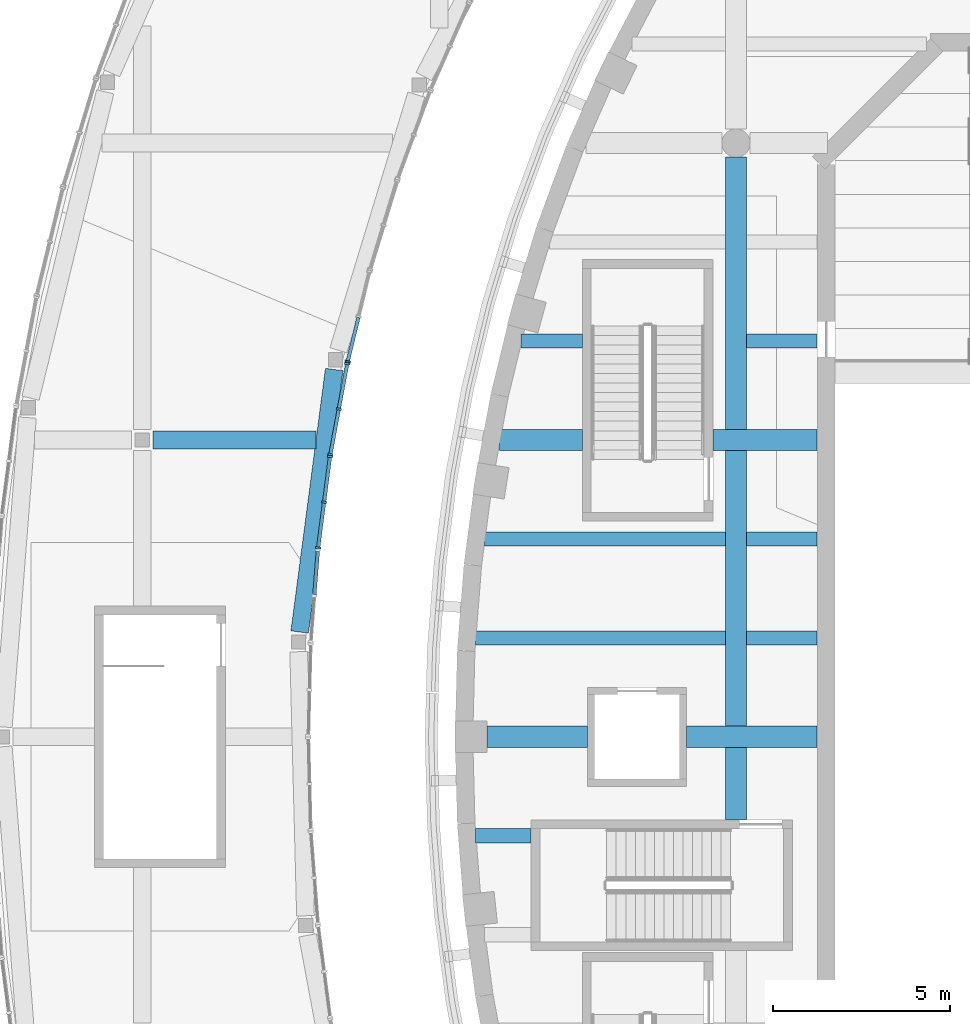
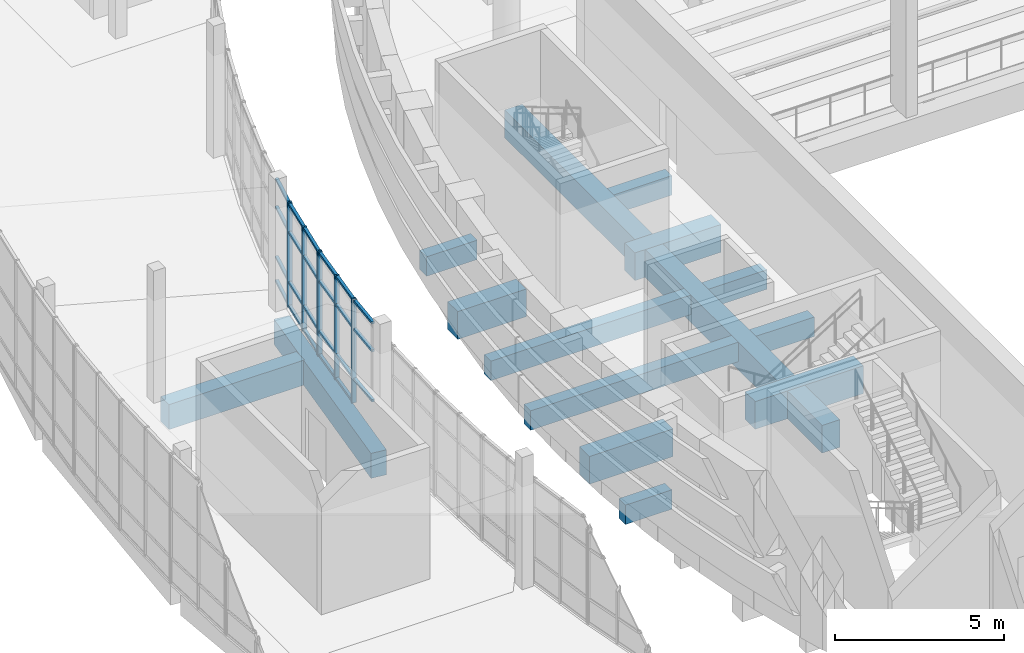
# One storey, part 14 of 103: 30 members, 14 beams, 4 elements without a shape of their own.
"""IFC4 building model written with IfcOpenShell, lengths in metres."""

from ifc_helpers import new_model, si_unit, direction, frame, origin, origin_2d, place, context, subcontext, project, spatial, rectangle, extrude, material, layer, layer_set, material_profile, profile_set, type_object, element, aggregate, save


model = new_model("IFC4")

# Units and contexts
model_context = context("Model", 3, precision=1e-05, world=origin(), true_north=direction((0.0, 1.0)))
body_context = subcontext(model_context, "Body", "Model", "MODEL_VIEW")
ifc_project = project(units=[si_unit("LENGTHUNIT", "METRE"), si_unit("AREAUNIT", "SQUARE_METRE"), si_unit("VOLUMEUNIT", "CUBIC_METRE"), si_unit("PLANEANGLEUNIT", "RADIAN"), si_unit("MASSUNIT", "GRAM", prefix="KILO")], contexts=[model_context])

# Site, building, storey
site_placement = place(None, origin())
site = spatial("IfcSite", under=ifc_project, at=site_placement, CompositionType="ELEMENT")
building_placement = place(site_placement, origin())
building = spatial("IfcBuilding", under=site, at=building_placement, Name="Larchfold Concert Hall", CompositionType="ELEMENT")
storey_placement = place(building_placement, frame((0.0, 0.0, 9.60009765625)))
storey = spatial("IfcBuildingStorey", under=building, at=storey_placement, Name="L02", CompositionType="ELEMENT", Elevation=9.60009765625)

# Curtain wall, members
ifc_material_1 = material(Name="Anodised graphite aluminium curtain wall", Category="aluminium")
ifc_layer = layer(ifc_material_1, 0.14990234375)
ifc_layer_set = layer_set([ifc_layer], Name="Anodised graphite aluminium curtain wall")
curtain_wall_type = type_object("IfcCurtainWallType", Name="Curtain wall WG", PredefinedType="NOTDEFINED", material=ifc_layer_set)
curtain_wall_1_placement = place(storey_placement, origin())
curtain_wall_1 = element("IfcCurtainWall", 1, at=curtain_wall_1_placement, inside=storey, type_object=curtain_wall_type, Name="Curtain wall CW0226", PredefinedType="NOTDEFINED")
ifc_material_2 = material(Name="Anodised graphite aluminium mullion", Category="aluminium")
ifc_material_profile_1 = material_profile(ifc_material_2, rectangle(XDim=0.14990234375, YDim=0.06005859375, at=origin_2d()))
ifc_profile_set_1 = profile_set([ifc_material_profile_1], Name="Anodised graphite aluminium mullion")
member_type_1 = type_object("IfcMemberType", Name="Aluminium mullion 60x150", PredefinedType="MULLION", material=ifc_profile_set_1)
member_1_placement = place(storey_placement, frame((13.977783203125, 89.94580078125, 0.0), z_axis=(0.0, 0.0, 1.0), x_axis=(-0.991560542069, 0.129644480836, 0.0)))
member_1 = element("IfcMember", 2, at=member_1_placement, type_object=member_type_1, Name="CW0226 mullion 1", PredefinedType="MULLION", context=body_context, shape_type="SweptSolid", body=[
    extrude(rectangle(XDim=0.14990234375, YDim=0.06005859375, at=origin_2d()), origin(), (0.0, 0.0, 1.0), 3.75),
])
member_2_placement = place(storey_placement, frame((14.146728515625, 91.238037109375, 0.0), z_axis=(0.0, 0.0, 1.0), x_axis=(-0.991560542069, 0.129644480836, 0.0)))
member_2 = element("IfcMember", 3, at=member_2_placement, type_object=member_type_1, Name="CW0226 mullion 2", PredefinedType="MULLION", context=body_context, shape_type="SweptSolid", body=[
    extrude(rectangle(XDim=0.14990234375, YDim=0.06005859375, at=origin_2d()), origin(), (0.0, 0.0, 1.0), 3.75),
])
member_3_placement = place(storey_placement, frame((14.315673828125, 92.5302734375, 0.0), z_axis=(0.0, 0.0, 1.0), x_axis=(-0.991560542069, 0.129644480836, 0.0)))
member_3 = element("IfcMember", 4, at=member_3_placement, type_object=member_type_1, Name="CW0226 mullion 3", PredefinedType="MULLION", context=body_context, shape_type="SweptSolid", body=[
    extrude(rectangle(XDim=0.14990234375, YDim=0.06005859375, at=origin_2d()), origin(), (0.0, 0.0, 1.0), 3.75),
])

curtain_wall_2_placement = place(storey_placement, origin())
curtain_wall_2 = element("IfcCurtainWall", 5, at=curtain_wall_2_placement, inside=storey, type_object=curtain_wall_type, Name="Curtain wall CW0227", PredefinedType="NOTDEFINED")
member_4_placement = place(storey_placement, frame((14.324951171875, 92.589599609375, 0.0), z_axis=(0.0, 0.0, 1.0), x_axis=(-0.983226211079, 0.182390289896, 0.0)))
member_4 = element("IfcMember", 6, at=member_4_placement, type_object=member_type_1, Name="CW0227 mullion 1", PredefinedType="MULLION", context=body_context, shape_type="SweptSolid", body=[
    extrude(rectangle(XDim=0.14990234375, YDim=0.06005859375, at=origin_2d()), origin(), (0.0, 0.0, 1.0), 3.75),
])
member_5_placement = place(storey_placement, frame((14.563232421875, 93.87353515625, 0.0), z_axis=(0.0, 0.0, 1.0), x_axis=(-0.983226211079, 0.182390289896, 0.0)))
member_5 = element("IfcMember", 7, at=member_5_placement, type_object=member_type_1, Name="CW0227 mullion 2", PredefinedType="MULLION", context=body_context, shape_type="SweptSolid", body=[
    extrude(rectangle(XDim=0.14990234375, YDim=0.06005859375, at=origin_2d()), origin(), (0.0, 0.0, 1.0), 3.75),
])
member_6_placement = place(storey_placement, frame((14.801513671875, 95.157470703125, 0.0), z_axis=(0.0, 0.0, 1.0), x_axis=(-0.983226211079, 0.182390289896, 0.0)))
member_6 = element("IfcMember", 8, at=member_6_placement, type_object=member_type_1, Name="CW0227 mullion 3", PredefinedType="MULLION", context=body_context, shape_type="SweptSolid", body=[
    extrude(rectangle(XDim=0.14990234375, YDim=0.06005859375, at=origin_2d()), origin(), (0.0, 0.0, 1.0), 3.75),
])

# Curtain wall, member
curtain_wall_3_placement = place(storey_placement, origin())
curtain_wall_3 = element("IfcCurtainWall", 9, at=curtain_wall_3_placement, inside=storey, type_object=curtain_wall_type, Name="Curtain wall CW0228", PredefinedType="NOTDEFINED")
member_7_placement = place(storey_placement, frame((14.81396484375, 95.216064453125, 0.0), z_axis=(0.0, 0.0, 1.0), x_axis=(-0.97177101692, 0.235926027973, 0.0)))
member_7 = element("IfcMember", 10, at=member_7_placement, type_object=member_type_1, Name="CW0228 mullion 1", PredefinedType="MULLION", context=body_context, shape_type="SweptSolid", body=[
    extrude(rectangle(XDim=0.14990234375, YDim=0.06005859375, at=origin_2d()), origin(), (0.0, 0.0, 1.0), 3.75),
])

# Curtain wall, members
curtain_wall_4_placement = place(storey_placement, origin())
curtain_wall_4 = element("IfcCurtainWall", 11, at=curtain_wall_4_placement, inside=storey, type_object=curtain_wall_type, Name="Curtain wall CW0225", PredefinedType="NOTDEFINED")
ifc_material_3 = material(Name="Anodised graphite aluminium transom", Category="aluminium")
ifc_material_profile_2 = material_profile(ifc_material_3, rectangle(XDim=0.10009765625, YDim=0.080078125, at=origin_2d()))
ifc_profile_set_2 = profile_set([ifc_material_profile_2], Name="Anodised graphite aluminium transom")
member_type_2 = type_object("IfcMemberType", Name="Aluminium transom 80x100", PredefinedType="USERDEFINED", material=ifc_profile_set_2)
member_8_placement = place(storey_placement, frame((13.873046875, 88.618408203125, 0.89990234375), z_axis=(0.077478431398, 0.996994028401, 0.0), x_axis=(-0.996994028401, 0.077478431398, 0.0)))
member_8 = element("IfcMember", 12, at=member_8_placement, type_object=member_type_2, Name="CW0225 transom 2.2", ObjectType="TRANSOM", PredefinedType="USERDEFINED", context=body_context, shape_type="SweptSolid", body=[
    extrude(rectangle(XDim=0.10009765625, YDim=0.080078125, at=origin_2d()), origin(), (0.0, 0.0, 1.0), 1.241455078125),
])
member_9_placement = place(storey_placement, frame((13.873046875, 88.618408203125, 2.699951171875), z_axis=(0.077478431398, 0.996994028401, 0.0), x_axis=(-0.996994028401, 0.077478431398, 0.0)))
member_9 = element("IfcMember", 13, at=member_9_placement, type_object=member_type_2, Name="CW0225 transom 2.3", ObjectType="TRANSOM", PredefinedType="USERDEFINED", context=body_context, shape_type="SweptSolid", body=[
    extrude(rectangle(XDim=0.10009765625, YDim=0.080078125, at=origin_2d()), origin(), (0.0, 0.0, 1.0), 1.241455078125),
])
member_10_placement = place(storey_placement, frame((13.873046875, 88.618408203125, 3.7099609375), z_axis=(0.077478431398, 0.996994028401, 0.0), x_axis=(-0.996994028401, 0.077478431398, 0.0)))
member_10 = element("IfcMember", 14, at=member_10_placement, type_object=member_type_2, Name="CW0225 transom 2.4", ObjectType="TRANSOM", PredefinedType="USERDEFINED", context=body_context, shape_type="SweptSolid", body=[
    extrude(rectangle(XDim=0.10009765625, YDim=0.080078125, at=origin_2d()), origin(), (0.0, 0.0, 1.0), 1.241455078125),
])
aggregate(curtain_wall_4, [member_8, member_9, member_10])

# Member
member_11_placement = place(storey_placement, frame((13.981689453125, 89.9755859375, 0.0400390625), z_axis=(0.129616239755, 0.991564234123, 0.0), x_axis=(-0.991564234123, 0.129616239755, 0.0)))
member_11 = element("IfcMember", 15, at=member_11_placement, type_object=member_type_2, Name="CW0226 transom 1.1", ObjectType="TRANSOM", PredefinedType="USERDEFINED", context=body_context, shape_type="SweptSolid", body=[
    extrude(rectangle(XDim=0.10009765625, YDim=0.080078125, at=origin_2d()), origin(), (0.0, 0.0, 1.0), 1.2431640625),
])

member_12_placement = place(storey_placement, frame((13.981689453125, 89.9755859375, 0.89990234375), z_axis=(0.129616239755, 0.991564234123, 0.0), x_axis=(-0.991564234123, 0.129616239755, 0.0)))
member_12 = element("IfcMember", 16, at=member_12_placement, type_object=member_type_2, Name="CW0226 transom 1.2", ObjectType="TRANSOM", PredefinedType="USERDEFINED", context=body_context, shape_type="SweptSolid", body=[
    extrude(rectangle(XDim=0.10009765625, YDim=0.080078125, at=origin_2d()), origin(), (0.0, 0.0, 1.0), 1.2431640625),
])

member_13_placement = place(storey_placement, frame((13.981689453125, 89.9755859375, 2.699951171875), z_axis=(0.129616239755, 0.991564234123, 0.0), x_axis=(-0.991564234123, 0.129616239755, 0.0)))
member_13 = element("IfcMember", 17, at=member_13_placement, type_object=member_type_2, Name="CW0226 transom 1.3", ObjectType="TRANSOM", PredefinedType="USERDEFINED", context=body_context, shape_type="SweptSolid", body=[
    extrude(rectangle(XDim=0.10009765625, YDim=0.080078125, at=origin_2d()), origin(), (0.0, 0.0, 1.0), 1.2431640625),
])

member_14_placement = place(storey_placement, frame((13.981689453125, 89.9755859375, 3.7099609375), z_axis=(0.129616239755, 0.991564234123, 0.0), x_axis=(-0.991564234123, 0.129616239755, 0.0)))
member_14 = element("IfcMember", 18, at=member_14_placement, type_object=member_type_2, Name="CW0226 transom 1.4", ObjectType="TRANSOM", PredefinedType="USERDEFINED", context=body_context, shape_type="SweptSolid", body=[
    extrude(rectangle(XDim=0.10009765625, YDim=0.080078125, at=origin_2d()), origin(), (0.0, 0.0, 1.0), 1.2431640625),
])

member_15_placement = place(storey_placement, frame((14.150634765625, 91.267822265625, 0.0400390625), z_axis=(0.129616239755, 0.991564234123, 0.0), x_axis=(-0.991564234123, 0.129616239755, 0.0)))
member_15 = element("IfcMember", 19, at=member_15_placement, type_object=member_type_2, Name="CW0226 transom 2.1", ObjectType="TRANSOM", PredefinedType="USERDEFINED", context=body_context, shape_type="SweptSolid", body=[
    extrude(rectangle(XDim=0.10009765625, YDim=0.080078125, at=origin_2d()), origin(), (0.0, 0.0, 1.0), 1.2431640625),
])

member_16_placement = place(storey_placement, frame((14.150634765625, 91.267822265625, 0.89990234375), z_axis=(0.129616239755, 0.991564234123, 0.0), x_axis=(-0.991564234123, 0.129616239755, 0.0)))
member_16 = element("IfcMember", 20, at=member_16_placement, type_object=member_type_2, Name="CW0226 transom 2.2", ObjectType="TRANSOM", PredefinedType="USERDEFINED", context=body_context, shape_type="SweptSolid", body=[
    extrude(rectangle(XDim=0.10009765625, YDim=0.080078125, at=origin_2d()), origin(), (0.0, 0.0, 1.0), 1.2431640625),
])

member_17_placement = place(storey_placement, frame((14.150634765625, 91.267822265625, 2.699951171875), z_axis=(0.129616239755, 0.991564234123, 0.0), x_axis=(-0.991564234123, 0.129616239755, 0.0)))
member_17 = element("IfcMember", 21, at=member_17_placement, type_object=member_type_2, Name="CW0226 transom 2.3", ObjectType="TRANSOM", PredefinedType="USERDEFINED", context=body_context, shape_type="SweptSolid", body=[
    extrude(rectangle(XDim=0.10009765625, YDim=0.080078125, at=origin_2d()), origin(), (0.0, 0.0, 1.0), 1.2431640625),
])

member_18_placement = place(storey_placement, frame((14.150634765625, 91.267822265625, 3.7099609375), z_axis=(0.129616239755, 0.991564234123, 0.0), x_axis=(-0.991564234123, 0.129616239755, 0.0)))
member_18 = element("IfcMember", 22, at=member_18_placement, type_object=member_type_2, Name="CW0226 transom 2.4", ObjectType="TRANSOM", PredefinedType="USERDEFINED", context=body_context, shape_type="SweptSolid", body=[
    extrude(rectangle(XDim=0.10009765625, YDim=0.080078125, at=origin_2d()), origin(), (0.0, 0.0, 1.0), 1.2431640625),
])

aggregate(curtain_wall_1, [member_1, member_2, member_3, member_11, member_12, member_13, member_14, member_15, member_16, member_17, member_18])

member_19_placement = place(storey_placement, frame((14.33056640625, 92.619140625, 0.0400390625), z_axis=(0.182454169497, 0.983214359147, 0.0), x_axis=(-0.983214359147, 0.182454169497, 0.0)))
member_19 = element("IfcMember", 23, at=member_19_placement, type_object=member_type_2, Name="CW0227 transom 1.1", ObjectType="TRANSOM", PredefinedType="USERDEFINED", context=body_context, shape_type="SweptSolid", body=[
    extrude(rectangle(XDim=0.10009765625, YDim=0.080078125, at=origin_2d()), origin(), (0.0, 0.0, 1.0), 1.245849609375),
])

member_20_placement = place(storey_placement, frame((14.33056640625, 92.619140625, 0.89990234375), z_axis=(0.182454169497, 0.983214359147, 0.0), x_axis=(-0.983214359147, 0.182454169497, 0.0)))
member_20 = element("IfcMember", 24, at=member_20_placement, type_object=member_type_2, Name="CW0227 transom 1.2", ObjectType="TRANSOM", PredefinedType="USERDEFINED", context=body_context, shape_type="SweptSolid", body=[
    extrude(rectangle(XDim=0.10009765625, YDim=0.080078125, at=origin_2d()), origin(), (0.0, 0.0, 1.0), 1.245849609375),
])

member_21_placement = place(storey_placement, frame((14.33056640625, 92.619140625, 2.699951171875), z_axis=(0.182454169497, 0.983214359147, 0.0), x_axis=(-0.983214359147, 0.182454169497, 0.0)))
member_21 = element("IfcMember", 25, at=member_21_placement, type_object=member_type_2, Name="CW0227 transom 1.3", ObjectType="TRANSOM", PredefinedType="USERDEFINED", context=body_context, shape_type="SweptSolid", body=[
    extrude(rectangle(XDim=0.10009765625, YDim=0.080078125, at=origin_2d()), origin(), (0.0, 0.0, 1.0), 1.245849609375),
])

member_22_placement = place(storey_placement, frame((14.33056640625, 92.619140625, 3.7099609375), z_axis=(0.182454169497, 0.983214359147, 0.0), x_axis=(-0.983214359147, 0.182454169497, 0.0)))
member_22 = element("IfcMember", 26, at=member_22_placement, type_object=member_type_2, Name="CW0227 transom 1.4", ObjectType="TRANSOM", PredefinedType="USERDEFINED", context=body_context, shape_type="SweptSolid", body=[
    extrude(rectangle(XDim=0.10009765625, YDim=0.080078125, at=origin_2d()), origin(), (0.0, 0.0, 1.0), 1.245849609375),
])

member_23_placement = place(storey_placement, frame((14.568603515625, 93.903076171875, 0.0400390625), z_axis=(0.182454169497, 0.983214359147, 0.0), x_axis=(-0.983214359147, 0.182454169497, 0.0)))
member_23 = element("IfcMember", 27, at=member_23_placement, type_object=member_type_2, Name="CW0227 transom 2.1", ObjectType="TRANSOM", PredefinedType="USERDEFINED", context=body_context, shape_type="SweptSolid", body=[
    extrude(rectangle(XDim=0.10009765625, YDim=0.080078125, at=origin_2d()), origin(), (0.0, 0.0, 1.0), 1.245849609375),
])

member_24_placement = place(storey_placement, frame((14.568603515625, 93.903076171875, 0.89990234375), z_axis=(0.182454169497, 0.983214359147, 0.0), x_axis=(-0.983214359147, 0.182454169497, 0.0)))
member_24 = element("IfcMember", 28, at=member_24_placement, type_object=member_type_2, Name="CW0227 transom 2.2", ObjectType="TRANSOM", PredefinedType="USERDEFINED", context=body_context, shape_type="SweptSolid", body=[
    extrude(rectangle(XDim=0.10009765625, YDim=0.080078125, at=origin_2d()), origin(), (0.0, 0.0, 1.0), 1.245849609375),
])

member_25_placement = place(storey_placement, frame((14.568603515625, 93.903076171875, 2.699951171875), z_axis=(0.182454169497, 0.983214359147, 0.0), x_axis=(-0.983214359147, 0.182454169497, 0.0)))
member_25 = element("IfcMember", 29, at=member_25_placement, type_object=member_type_2, Name="CW0227 transom 2.3", ObjectType="TRANSOM", PredefinedType="USERDEFINED", context=body_context, shape_type="SweptSolid", body=[
    extrude(rectangle(XDim=0.10009765625, YDim=0.080078125, at=origin_2d()), origin(), (0.0, 0.0, 1.0), 1.245849609375),
])

member_26_placement = place(storey_placement, frame((14.568603515625, 93.903076171875, 3.7099609375), z_axis=(0.182454169497, 0.983214359147, 0.0), x_axis=(-0.983214359147, 0.182454169497, 0.0)))
member_26 = element("IfcMember", 30, at=member_26_placement, type_object=member_type_2, Name="CW0227 transom 2.4", ObjectType="TRANSOM", PredefinedType="USERDEFINED", context=body_context, shape_type="SweptSolid", body=[
    extrude(rectangle(XDim=0.10009765625, YDim=0.080078125, at=origin_2d()), origin(), (0.0, 0.0, 1.0), 1.245849609375),
])

aggregate(curtain_wall_2, [member_4, member_5, member_6, member_19, member_20, member_21, member_22, member_23, member_24, member_25, member_26])

member_27_placement = place(storey_placement, frame((14.821044921875, 95.245361328125, 0.0400390625), z_axis=(0.236002599112, 0.971752423826, 0.0), x_axis=(-0.971752423826, 0.236002599112, 0.0)))
member_27 = element("IfcMember", 31, at=member_27_placement, type_object=member_type_2, Name="CW0228 transom 1.1", ObjectType="TRANSOM", PredefinedType="USERDEFINED", context=body_context, shape_type="SweptSolid", body=[
    extrude(rectangle(XDim=0.10009765625, YDim=0.080078125, at=origin_2d()), origin(), (0.0, 0.0, 1.0), 1.249755859375),
])

member_28_placement = place(storey_placement, frame((14.821044921875, 95.245361328125, 0.89990234375), z_axis=(0.236002599112, 0.971752423826, 0.0), x_axis=(-0.971752423826, 0.236002599112, 0.0)))
member_28 = element("IfcMember", 32, at=member_28_placement, type_object=member_type_2, Name="CW0228 transom 1.2", ObjectType="TRANSOM", PredefinedType="USERDEFINED", context=body_context, shape_type="SweptSolid", body=[
    extrude(rectangle(XDim=0.10009765625, YDim=0.080078125, at=origin_2d()), origin(), (0.0, 0.0, 1.0), 1.249755859375),
])

member_29_placement = place(storey_placement, frame((14.821044921875, 95.245361328125, 2.699951171875), z_axis=(0.236002599112, 0.971752423826, 0.0), x_axis=(-0.971752423826, 0.236002599112, 0.0)))
member_29 = element("IfcMember", 33, at=member_29_placement, type_object=member_type_2, Name="CW0228 transom 1.3", ObjectType="TRANSOM", PredefinedType="USERDEFINED", context=body_context, shape_type="SweptSolid", body=[
    extrude(rectangle(XDim=0.10009765625, YDim=0.080078125, at=origin_2d()), origin(), (0.0, 0.0, 1.0), 1.249755859375),
])

member_30_placement = place(storey_placement, frame((14.821044921875, 95.245361328125, 3.7099609375), z_axis=(0.236002599112, 0.971752423826, 0.0), x_axis=(-0.971752423826, 0.236002599112, 0.0)))
member_30 = element("IfcMember", 34, at=member_30_placement, type_object=member_type_2, Name="CW0228 transom 1.4", ObjectType="TRANSOM", PredefinedType="USERDEFINED", context=body_context, shape_type="SweptSolid", body=[
    extrude(rectangle(XDim=0.10009765625, YDim=0.080078125, at=origin_2d()), origin(), (0.0, 0.0, 1.0), 1.249755859375),
])

aggregate(curtain_wall_3, [member_7, member_27, member_28, member_29, member_30])

# Beams
ifc_material_4 = material(Name="Concrete C35/45", Category="concrete")
ifc_material_profile_3 = material_profile(ifc_material_4, rectangle(XDim=0.39990234375, YDim=0.699951171875, at=origin_2d()))
ifc_profile_set_3 = profile_set([ifc_material_profile_3], Name="Concrete C35/45")
beam_type_1 = type_object("IfcBeamType", Name="Beam RC 400x700", PredefinedType="BEAM", material=ifc_profile_set_3)
beam_1_placement = place(storey_placement, frame((18.421875, 81.800048828125, -0.550048828125), z_axis=(1.0, 0.0, 0.0), x_axis=(0.0, 1.0, 0.0)))
element("IfcBeam", 35, at=beam_1_placement, inside=storey, type_object=beam_type_1, Name="Beam B1319", PredefinedType="BEAM", context=body_context, shape_type="SweptSolid", body=[
    extrude(rectangle(XDim=0.39990234375, YDim=0.699951171875, at=origin_2d()), origin(), (0.0, 0.0, 1.0), 1.578125),
])
beam_2_placement = place(storey_placement, frame((18.422119140625, 87.39990234375, -0.550048828125), z_axis=(1.0, 0.0, 0.0), x_axis=(0.0, 1.0, 0.0)))
element("IfcBeam", 36, at=beam_2_placement, inside=storey, type_object=beam_type_1, Name="Beam B1321", PredefinedType="BEAM", context=body_context, shape_type="SweptSolid", body=[
    extrude(rectangle(XDim=0.39990234375, YDim=0.699951171875, at=origin_2d()), origin(), (0.0, 0.0, 1.0), 7.077880859375),
])
beam_3_placement = place(storey_placement, frame((26.10009765625, 87.39990234375, -0.550048828125), z_axis=(1.0, 0.0, 0.0), x_axis=(0.0, 1.0, 0.0)))
element("IfcBeam", 37, at=beam_3_placement, inside=storey, type_object=beam_type_1, Name="Beam B1322", PredefinedType="BEAM", context=body_context, shape_type="SweptSolid", body=[
    extrude(rectangle(XDim=0.39990234375, YDim=0.699951171875, at=origin_2d()), origin(), (0.0, 0.0, 1.0), 1.989990234375),
])
beam_4_placement = place(storey_placement, frame((18.680419921875, 90.199951171875, -0.550048828125), z_axis=(1.0, 0.0, 0.0), x_axis=(0.0, 1.0, 0.0)))
element("IfcBeam", 38, at=beam_4_placement, inside=storey, type_object=beam_type_1, Name="Beam B1325", PredefinedType="BEAM", context=body_context, shape_type="SweptSolid", body=[
    extrude(rectangle(XDim=0.39990234375, YDim=0.699951171875, at=origin_2d()), origin(), (0.0, 0.0, 1.0), 6.819580078125),
])
beam_5_placement = place(storey_placement, frame((26.10009765625, 90.199951171875, -0.550048828125), z_axis=(1.0, 0.0, 0.0), x_axis=(0.0, 1.0, 0.0)))
element("IfcBeam", 39, at=beam_5_placement, inside=storey, type_object=beam_type_1, Name="Beam B1326", PredefinedType="BEAM", context=body_context, shape_type="SweptSolid", body=[
    extrude(rectangle(XDim=0.39990234375, YDim=0.699951171875, at=origin_2d()), origin(), (0.0, 0.0, 1.0), 1.989990234375),
])
beam_6_placement = place(storey_placement, frame((19.72021484375, 95.800048828125, -0.550048828125), z_axis=(1.0, 0.0, 0.0), x_axis=(0.0, 1.0, 0.0)))
element("IfcBeam", 40, at=beam_6_placement, inside=storey, type_object=beam_type_1, Name="Beam B1329", PredefinedType="BEAM", context=body_context, shape_type="SweptSolid", body=[
    extrude(rectangle(XDim=0.39990234375, YDim=0.699951171875, at=origin_2d()), origin(), (0.0, 0.0, 1.0), 1.729736328125),
])
beam_7_placement = place(storey_placement, frame((26.10009765625, 95.800048828125, -0.550048828125), z_axis=(1.0, 0.0, 0.0), x_axis=(0.0, 1.0, 0.0)))
element("IfcBeam", 41, at=beam_7_placement, inside=storey, type_object=beam_type_1, Name="Beam B1330", PredefinedType="BEAM", context=body_context, shape_type="SweptSolid", body=[
    extrude(rectangle(XDim=0.39990234375, YDim=0.699951171875, at=origin_2d()), origin(), (0.0, 0.0, 1.0), 1.989990234375),
])
ifc_material_5 = material(Name="Concrete C35/45", Category="concrete")
ifc_material_profile_4 = material_profile(ifc_material_5, rectangle(XDim=0.5, YDim=0.89990234375, at=origin_2d()))
ifc_profile_set_4 = profile_set([ifc_material_profile_4], Name="Concrete C35/45")
beam_type_2 = type_object("IfcBeamType", Name="Beam RC 500x900", PredefinedType="BEAM", material=ifc_profile_set_4)
beam_8_placement = place(storey_placement, frame((14.430419921875, 94.992431640625, -0.60009765625), z_axis=(-0.130274084272, -0.991478019407, 0.0), x_axis=(0.991478019407, -0.130274084272, 0.0)))
element("IfcBeam", 42, at=beam_8_placement, inside=storey, type_object=beam_type_2, Name="Beam B1957", PredefinedType="BEAM", context=body_context, shape_type="SweptSolid", body=[
    extrude(rectangle(XDim=0.5, YDim=0.89990234375, at=origin_2d()), origin(), (0.0, 0.0, 1.0), 7.490478515625),
])
beam_9_placement = place(storey_placement, frame((9.298828125, 93.0, -0.60009765625), z_axis=(1.0, 0.0, 0.0), x_axis=(0.0, 1.0, 0.0)))
element("IfcBeam", 43, at=beam_9_placement, inside=storey, type_object=beam_type_2, Name="Beam B1994", PredefinedType="BEAM", context=body_context, shape_type="SweptSolid", body=[
    extrude(rectangle(XDim=0.5, YDim=0.89990234375, at=origin_2d()), origin(), (0.0, 0.0, 1.0), 4.61767578125),
])
ifc_material_6 = material(Name="Concrete C35/45", Category="concrete")
ifc_material_profile_5 = material_profile(ifc_material_6, rectangle(XDim=0.60009765625, YDim=1.0, at=origin_2d()))
ifc_profile_set_5 = profile_set([ifc_material_profile_5], Name="Concrete C35/45")
beam_type_3 = type_object("IfcBeamType", Name="Beam RC 600x1000", PredefinedType="BEAM", material=ifc_profile_set_5)
beam_10_placement = place(storey_placement, frame((25.800048828125, 82.25, -0.7001953125), z_axis=(0.0, 1.0, 0.0), x_axis=(-1.0, 0.0, 0.0)))
element("IfcBeam", 44, at=beam_10_placement, inside=storey, type_object=beam_type_3, Name="Beam B1269", PredefinedType="BEAM", context=body_context, shape_type="SweptSolid", body=[
    extrude(rectangle(XDim=0.60009765625, YDim=1.0, at=origin_2d()), origin(), (0.0, 0.0, 1.0), 18.751708984375),
])
beam_11_placement = place(storey_placement, frame((18.75, 84.60009765625, -0.7001953125), z_axis=(1.0, 0.0, 0.0), x_axis=(0.0, 1.0, 0.0)))
element("IfcBeam", 45, at=beam_11_placement, inside=storey, type_object=beam_type_3, Name="Beam B1287", PredefinedType="BEAM", context=body_context, shape_type="SweptSolid", body=[
    extrude(rectangle(XDim=0.60009765625, YDim=1.0, at=origin_2d()), origin(), (0.0, 0.0, 1.0), 2.85009765625),
])
beam_12_placement = place(storey_placement, frame((24.39990234375, 84.60009765625, -0.7001953125), z_axis=(1.0, 0.0, 0.0), x_axis=(0.0, 1.0, 0.0)))
element("IfcBeam", 46, at=beam_12_placement, inside=storey, type_object=beam_type_3, Name="Beam B1288", PredefinedType="BEAM", context=body_context, shape_type="SweptSolid", body=[
    extrude(rectangle(XDim=0.60009765625, YDim=1.0, at=origin_2d()), origin(), (0.0, 0.0, 1.0), 3.690185546875),
])
beam_13_placement = place(storey_placement, frame((19.1103515625, 93.0, -0.7001953125), z_axis=(1.0, 0.0, 0.0), x_axis=(0.0, 1.0, 0.0)))
element("IfcBeam", 47, at=beam_13_placement, inside=storey, type_object=beam_type_3, Name="Beam B1291", PredefinedType="BEAM", context=body_context, shape_type="SweptSolid", body=[
    extrude(rectangle(XDim=0.60009765625, YDim=1.0, at=origin_2d()), origin(), (0.0, 0.0, 1.0), 2.339599609375),
])
beam_14_placement = place(storey_placement, frame((25.14990234375, 93.0, -0.7001953125), z_axis=(1.0, 0.0, 0.0), x_axis=(0.0, 1.0, 0.0)))
element("IfcBeam", 48, at=beam_14_placement, inside=storey, type_object=beam_type_3, Name="Beam B1292", PredefinedType="BEAM", context=body_context, shape_type="SweptSolid", body=[
    extrude(rectangle(XDim=0.60009765625, YDim=1.0, at=origin_2d()), origin(), (0.0, 0.0, 1.0), 2.940185546875),
])

save(model, "model.ifc")
